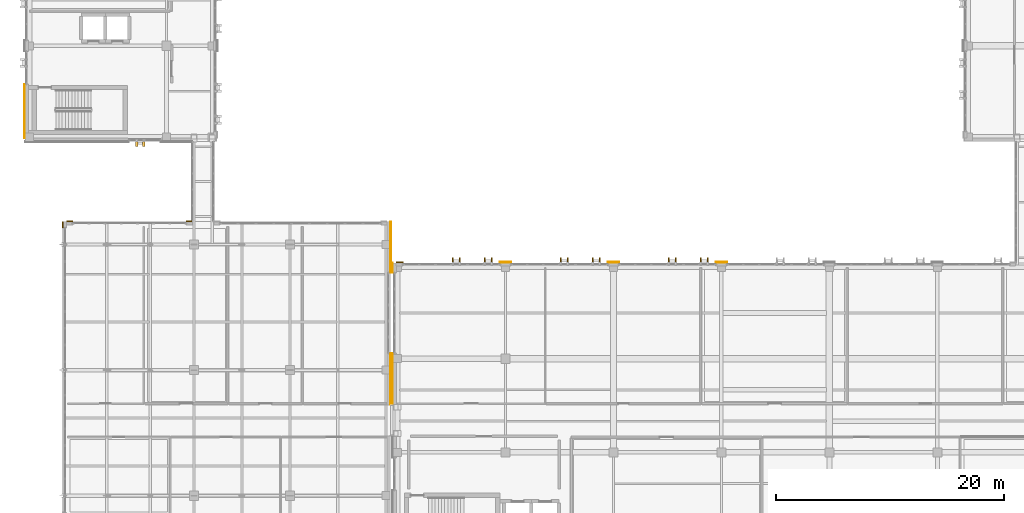
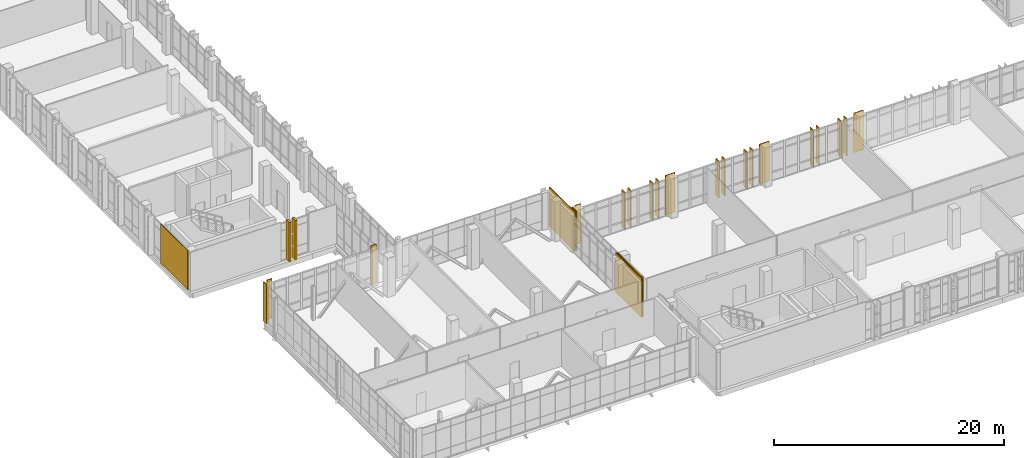
# One storey, part 149 of 165: 14 coverings, 12 shading devices.
"""IFC4 building model written with IfcOpenShell, lengths in metres."""

from ifc_helpers import new_model, si_unit, direction, frame, origin, origin_2d, place, context, subcontext, project, spatial, rectangle, extrude, material, layer, layer_set, type_object, element, save


model = new_model("IFC4")

# Units and contexts
model_context = context("Model", 3, precision=1e-05, world=origin(), true_north=direction((0.0, 1.0)))
body_context = subcontext(model_context, "Body", "Model", "MODEL_VIEW")
ifc_project = project(units=[si_unit("LENGTHUNIT", "METRE"), si_unit("AREAUNIT", "SQUARE_METRE"), si_unit("VOLUMEUNIT", "CUBIC_METRE"), si_unit("PLANEANGLEUNIT", "RADIAN"), si_unit("MASSUNIT", "GRAM", prefix="KILO")], contexts=[model_context])

# Site, building, storey
site_placement = place(None, origin())
site = spatial("IfcSite", under=ifc_project, at=site_placement, CompositionType="ELEMENT")
building_placement = place(site_placement, origin())
building = spatial("IfcBuilding", under=site, at=building_placement, Name="Qalavern Law Courts", CompositionType="ELEMENT")
storey_placement = place(building_placement, frame((0.0, 0.0, 14.39990234375)))
storey = spatial("IfcBuildingStorey", under=building, at=storey_placement, Name="L03", CompositionType="ELEMENT", Elevation=14.39990234375)

# Coverings
ifc_material = material(Name="Precast concrete C40/50", Category="concrete")
ifc_layer_1 = layer(ifc_material, 0.199951171875)
ifc_layer_set_1 = layer_set([ifc_layer_1], Name="Precast concrete C40/50")
covering_type_1 = type_object("IfcCoveringType", Name="ENV-BLD-1", PredefinedType="CLADDING", material=ifc_layer_set_1)
for number, where, z_axis, x_axis, name in (
    (1, (11.800048828125, 40.857421875, 0.005126953125), (0.0, 0.0, 1.0), (0.0, -1.0, 0.0), "Absheron stone facade blade 0299"),
    (2, (12.39990234375, 40.857421875, 0.005126953125), (0.0, 0.0, 1.0), (0.0, -1.0, 0.0), "Absheron stone facade blade 0300"),
):
    element("IfcCovering", number, at=place(storey_placement, frame(where, z_axis=z_axis, x_axis=x_axis)), inside=storey, type_object=covering_type_1, Name=name, PredefinedType="CLADDING", context=body_context, shape_type="SweptSolid", body=[
        extrude(rectangle(XDim=0.5400390625, YDim=0.199951171875, at=origin_2d()), origin(), (0.0, 0.0, 1.0), 4.18994140625),
    ])
ifc_layer_2 = layer(ifc_material, 0.072021484375)
ifc_layer_set_2 = layer_set([ifc_layer_2], Name="Precast concrete C40/50")
covering_type_2 = type_object("IfcCoveringType", Name="ENV-CLD-2", PredefinedType="CLADDING", material=ifc_layer_set_2)
covering_1_placement = place(storey_placement, frame((34.032958984375, 20.22509765625, 0.01025390625), z_axis=(0.0, 0.0, 1.0), x_axis=(0.0, 1.0, 0.0)))
element("IfcCovering", 3, at=covering_1_placement, inside=storey, type_object=covering_type_2, Name="V1 Absheron limestone pier facing L03 east 1", PredefinedType="CLADDING", context=body_context, shape_type="SweptSolid", body=[
    extrude(rectangle(XDim=4.530029296875, YDim=0.072021484375, at=origin_2d()), origin(), (0.0, 0.0, 1.0), 4.179931640625),
])
covering_2_placement = place(storey_placement, frame((34.032958984375, 31.75, 0.01025390625), z_axis=(0.0, 0.0, 1.0), x_axis=(0.0, 1.0, 0.0)))
element("IfcCovering", 4, at=covering_2_placement, inside=storey, type_object=covering_type_2, Name="V1 Absheron limestone pier facing L03 east 2", PredefinedType="CLADDING", context=body_context, shape_type="SweptSolid", body=[
    extrude(rectangle(XDim=4.47998046875, YDim=0.072021484375, at=origin_2d()), origin(), (0.0, 0.0, 1.0), 4.179931640625),
])
for number, where, z_axis, x_axis, name in (
    (5, (16.375, 34.032958984375, 0.01025390625), (0.0, 0.0, 1.0), (-1.0, 0.0, 0.0), "V1 Absheron limestone pier facing L03 north 1"),
    (6, (5.9150390625, 34.032958984375, 0.01025390625), (0.0, 0.0, 1.0), (-1.0, 0.0, 0.0), "V1 Absheron limestone pier facing L03 north 2"),
    (7, (5.31689453125, 33.72509765625, 0.01025390625), (0.0, 0.0, 1.0), (0.0, -1.0, 0.0), "V1 Absheron limestone pier facing L03 west 1"),
):
    element("IfcCovering", number, at=place(storey_placement, frame(where, z_axis=z_axis, x_axis=x_axis)), inside=storey, type_object=covering_type_2, Name=name, PredefinedType="CLADDING", context=body_context, shape_type="SweptSolid", body=[
        extrude(rectangle(XDim=0.530029296875, YDim=0.072021484375, at=origin_2d()), origin(), (0.0, 0.0, 1.0), 4.179931640625),
    ])
for number, where, z_axis, x_axis, name in (
    (8, (62.98291015625, 30.43310546875, 0.01025390625), (0.0, 0.0, 1.0), (-1.0, 0.0, 0.0), "V2 Absheron limestone pier facing L03 north 4"),
    (9, (53.528564453125, 30.43310546875, 0.01025390625), (0.0, 0.0, 1.0), (-1.0, 0.0, 0.0), "V2 Absheron limestone pier facing L03 north 5"),
    (10, (44.07421875, 30.43310546875, 0.01025390625), (0.0, 0.0, 1.0), (-1.0, 0.0, 0.0), "V2 Absheron limestone pier facing L03 north 6"),
):
    element("IfcCovering", number, at=place(storey_placement, frame(where, z_axis=z_axis, x_axis=x_axis)), inside=storey, type_object=covering_type_2, Name=name, PredefinedType="CLADDING", context=body_context, shape_type="SweptSolid", body=[
        extrude(rectangle(XDim=0.97998046875, YDim=0.072021484375, at=origin_2d()), origin(), (0.0, 0.0, 1.0), 4.179931640625),
    ])
covering_3_placement = place(storey_placement, frame((34.81494140625, 30.43310546875, 0.01025390625), z_axis=(0.0, 0.0, 1.0), x_axis=(-1.0, 0.0, 0.0)))
element("IfcCovering", 11, at=covering_3_placement, inside=storey, type_object=covering_type_2, Name="V2 Absheron limestone pier facing L03 north 7", PredefinedType="CLADDING", context=body_context, shape_type="SweptSolid", body=[
    extrude(rectangle(XDim=0.590087890625, YDim=0.072021484375, at=origin_2d()), origin(), (0.0, 0.0, 1.0), 4.179931640625),
])
covering_4_placement = place(storey_placement, frame((34.18701171875, 29.949951171875, 0.01025390625), z_axis=(0.0, 0.0, 1.0), x_axis=(0.0, -1.0, 0.0)))
element("IfcCovering", 12, at=covering_4_placement, inside=storey, type_object=covering_type_2, Name="V2 Absheron limestone pier facing L03 west 1", PredefinedType="CLADDING", context=body_context, shape_type="SweptSolid", body=[
    extrude(rectangle(XDim=0.8798828125, YDim=0.072021484375, at=origin_2d()), origin(), (0.0, 0.0, 1.0), 4.179931640625),
])
covering_5_placement = place(storey_placement, frame((34.18701171875, 20.22509765625, 0.01025390625), z_axis=(0.0, 0.0, 1.0), x_axis=(0.0, -1.0, 0.0)))
element("IfcCovering", 13, at=covering_5_placement, inside=storey, type_object=covering_type_2, Name="V2 Absheron limestone pier facing L03 west 2", PredefinedType="CLADDING", context=body_context, shape_type="SweptSolid", body=[
    extrude(rectangle(XDim=4.530029296875, YDim=0.072021484375, at=origin_2d()), origin(), (0.0, 0.0, 1.0), 4.179931640625),
])
covering_6_placement = place(storey_placement, frame((1.967041015625, 43.679931640625, 0.01025390625), z_axis=(0.0, 0.0, 1.0), x_axis=(0.0, -1.0, 0.0)))
element("IfcCovering", 14, at=covering_6_placement, inside=storey, type_object=covering_type_2, Name="V3 Absheron limestone pier facing L03 west 8", PredefinedType="CLADDING", context=body_context, shape_type="SweptSolid", body=[
    extrude(rectangle(XDim=4.719970703125, YDim=0.072021484375, at=origin_2d()), origin(), (0.0, 0.0, 1.0), 4.179931640625),
])

# Shading devices
shading_device_type = type_object("IfcShadingDeviceType", Name="ENV-FIN-1", PredefinedType="USERDEFINED", material=ifc_material)
for number, where, z_axis, x_axis, name in (
    (15, (61.782958984375, 30.5625, 0.01025390625), (0.0, 0.0, 1.0), (0.0, 1.0, 0.0), "Hall solar shading fin 0133"),
    (16, (61.182861328125, 30.5625, 0.01025390625), (0.0, 0.0, 1.0), (0.0, 1.0, 0.0), "Hall solar shading fin 0134"),
    (17, (58.98291015625, 30.5625, 0.01025390625), (0.0, 0.0, 1.0), (0.0, 1.0, 0.0), "Hall solar shading fin 0135"),
    (18, (58.3828125, 30.5625, 0.01025390625), (0.0, 0.0, 1.0), (0.0, 1.0, 0.0), "Hall solar shading fin 0136"),
    (19, (52.32861328125, 30.5625, 0.01025390625), (0.0, 0.0, 1.0), (0.0, 1.0, 0.0), "Hall solar shading fin 0137"),
    (20, (51.728515625, 30.5625, 0.01025390625), (0.0, 0.0, 1.0), (0.0, 1.0, 0.0), "Hall solar shading fin 0138"),
    (21, (49.528564453125, 30.5625, 0.01025390625), (0.0, 0.0, 1.0), (0.0, 1.0, 0.0), "Hall solar shading fin 0139"),
    (22, (48.9287109375, 30.5625, 0.01025390625), (0.0, 0.0, 1.0), (0.0, 1.0, 0.0), "Hall solar shading fin 0140"),
    (23, (42.874267578125, 30.5625, 0.01025390625), (0.0, 0.0, 1.0), (0.0, 1.0, 0.0), "Hall solar shading fin 0141"),
    (24, (42.2744140625, 30.5625, 0.01025390625), (0.0, 0.0, 1.0), (0.0, 1.0, 0.0), "Hall solar shading fin 0142"),
    (25, (40.07421875, 30.5625, 0.01025390625), (0.0, 0.0, 1.0), (0.0, 1.0, 0.0), "Hall solar shading fin 0143"),
    (26, (39.474365234375, 30.5625, 0.01025390625), (0.0, 0.0, 1.0), (0.0, 1.0, 0.0), "Hall solar shading fin 0144"),
):
    element("IfcShadingDevice", number, at=place(storey_placement, frame(where, z_axis=z_axis, x_axis=x_axis)), inside=storey, type_object=shading_device_type, Name=name, ObjectType="FIN", PredefinedType="USERDEFINED", context=body_context, shape_type="SweptSolid", body=[
        extrude(rectangle(XDim=0.5400390625, YDim=0.0849609375, at=origin_2d()), origin(), (0.0, 0.0, 1.0), 3.89990234375),
    ])

save(model, "model.ifc")
